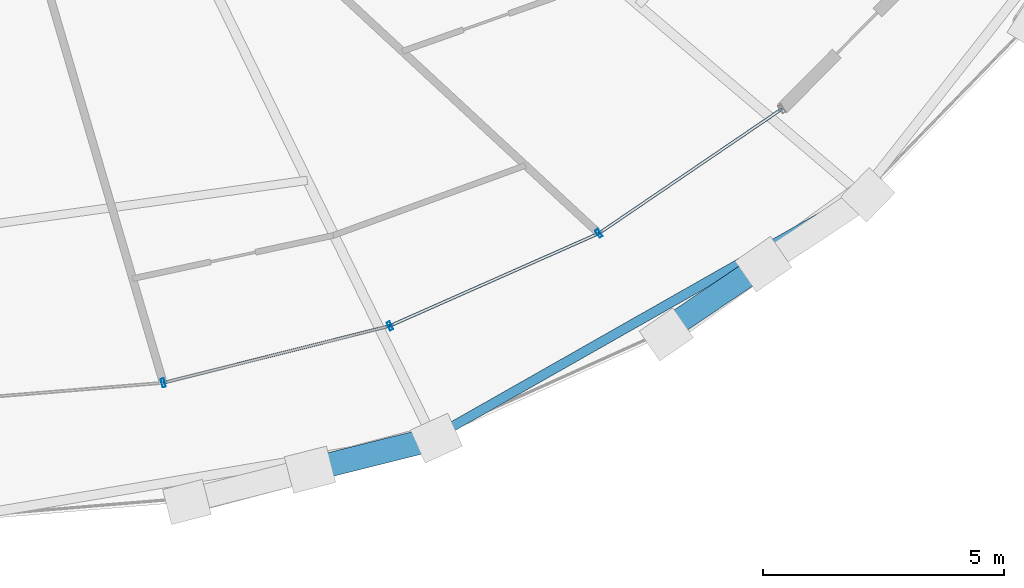
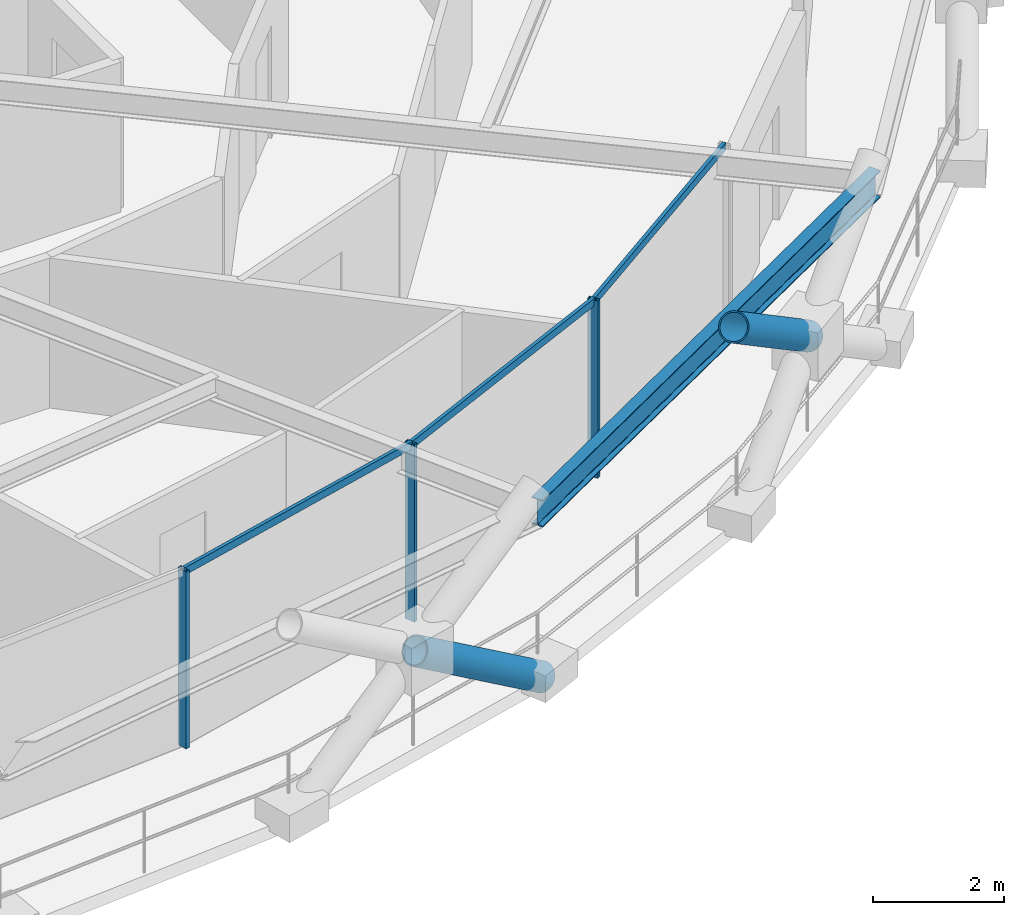
# One storey, part 4 of 15: 8 members, 1 beam, 1 element without a shape of its own.
"""IFC4 building model written with IfcOpenShell, lengths in metres."""

from ifc_helpers import new_model, si_unit, direction, frame, origin, origin_2d, place, context, subcontext, project, spatial, hollow_rectangle, hollow_circle, i_section, extrude, material, layer, layer_set, material_profile, profile_set, type_object, element, aggregate, save


model = new_model("IFC4")

# Units and contexts
model_context = context("Model", 3, precision=1e-05, world=origin(), true_north=direction((0.0, 1.0)))
body_context = subcontext(model_context, "Body", "Model", "MODEL_VIEW")
ifc_project = project(units=[si_unit("LENGTHUNIT", "METRE"), si_unit("AREAUNIT", "SQUARE_METRE"), si_unit("VOLUMEUNIT", "CUBIC_METRE"), si_unit("PLANEANGLEUNIT", "RADIAN"), si_unit("MASSUNIT", "GRAM", prefix="KILO")], contexts=[model_context])

# Site, building, storey
site_placement = place(None, origin())
site = spatial("IfcSite", under=ifc_project, at=site_placement, CompositionType="ELEMENT")
building_placement = place(site_placement, origin())
building = spatial("IfcBuilding", under=site, at=building_placement, Name="Veldorina Hangang Commons", CompositionType="ELEMENT")
storey_placement = place(building_placement, frame((0.0, 0.0, 182.0)))
storey = spatial("IfcBuildingStorey", under=building, at=storey_placement, Name="L47", CompositionType="ELEMENT", Elevation=182.0)

# Beam
ifc_material_1 = material(Name="Steel SM420-TMC", Category="steel")
ifc_material_profile_1 = material_profile(ifc_material_1, i_section(OverallWidth=0.199951171875, OverallDepth=0.5, WebThickness=0.010009765625, FlangeThickness=0.01611328125, FilletRadius=0.01611328125, at=origin_2d()), Name="H-500x200x10x16")
ifc_profile_set_1 = profile_set([ifc_material_profile_1], Name="Steel SM420-TMC")
beam_type = type_object("IfcBeamType", Name="BM-RB500", PredefinedType="BEAM", material=ifc_profile_set_1)
beam_placement = place(storey_placement, frame((42.476318359375, 2.505615234375, 3.10009765625), z_axis=(0.869572738888, 0.493804872174, 0.0), x_axis=(-0.493804872174, 0.869572738888, 0.0)))
element("IfcBeam", 1, at=beam_placement, inside=storey, type_object=beam_type, Name="L47 perimeter hoop ring beam 26", PredefinedType="BEAM", context=body_context, shape_type="SweptSolid", body=[
    extrude(i_section(OverallWidth=0.199951171875, OverallDepth=0.5, WebThickness=0.010009765625, FlangeThickness=0.01611328125, FilletRadius=0.01611328125, at=origin_2d()), origin(), (0.0, 0.0, 1.0), 10.21337890625),
])

# Curtain wall, members
ifc_material_2 = material(Name="Glass Low-E Triple IGU", Category="glass")
ifc_layer = layer(ifc_material_2, 0.179931640625)
ifc_layer_set = layer_set([ifc_layer], Name="Glass Low-E Triple IGU")
curtain_wall_type = type_object("IfcCurtainWallType", Name="CW-SYS-Z2", PredefinedType="NOTDEFINED", material=ifc_layer_set)
curtain_wall_placement = place(storey_placement, origin())
curtain_wall = element("IfcCurtainWall", 2, at=curtain_wall_placement, inside=storey, type_object=curtain_wall_type, Name="L47 unitised curtain wall CW-L47-R1", PredefinedType="NOTDEFINED")
ifc_material_3 = material(Name="Aluminium Anodized AA6063-T6", Category="aluminium")
ifc_material_profile_2 = material_profile(ifc_material_3, hollow_rectangle(XDim=0.070068359375, YDim=0.179931640625, WallThickness=0.00390625, at=origin_2d()), Name="ALU-RHS-180x70x4")
ifc_profile_set_2 = profile_set([ifc_material_profile_2], Name="Aluminium Anodized AA6063-T6")
member_type_1 = type_object("IfcMemberType", Name="CW-MUL-180", PredefinedType="MULLION", material=ifc_profile_set_2)
member_1_placement = place(storey_placement, frame((36.88818359375, 3.64306640625, 0.0), z_axis=(0.0, 0.0, 1.0), x_axis=(0.969850752171, 0.243699648158, 0.0)))
member_1 = element("IfcMember", 3, at=member_1_placement, type_object=member_type_1, Name="CW-L47-R1 vertical mullion 2", PredefinedType="MULLION", context=body_context, shape_type="SweptSolid", body=[
    extrude(hollow_rectangle(XDim=0.070068359375, YDim=0.179931640625, WallThickness=0.00390625, at=origin_2d()), origin(), (0.0, 0.0, 1.0), 3.31005859375),
])
member_2_placement = place(storey_placement, frame((41.588623046875, 4.82421875, 0.0), z_axis=(0.0, 0.0, 1.0), x_axis=(0.914374122918, 0.404870304341, 0.0)))
member_2 = element("IfcMember", 4, at=member_2_placement, type_object=member_type_1, Name="CW-L47-R1 vertical mullion 3", PredefinedType="MULLION", context=body_context, shape_type="SweptSolid", body=[
    extrude(hollow_rectangle(XDim=0.070068359375, YDim=0.179931640625, WallThickness=0.00390625, at=origin_2d()), origin(), (0.0, 0.0, 1.0), 3.31005859375),
])
member_3_placement = place(storey_placement, frame((45.92041015625, 6.7421875, 0.0), z_axis=(0.0, 0.0, 1.0), x_axis=(0.826992272221, 0.56221328843, 0.0)))
member_3 = element("IfcMember", 5, at=member_3_placement, type_object=member_type_1, Name="CW-L47-R1 vertical mullion 4", PredefinedType="MULLION", context=body_context, shape_type="SweptSolid", body=[
    extrude(hollow_rectangle(XDim=0.070068359375, YDim=0.179931640625, WallThickness=0.00390625, at=origin_2d()), origin(), (0.0, 0.0, 1.0), 3.31005859375),
])
ifc_material_profile_3 = material_profile(ifc_material_3, hollow_rectangle(XDim=0.06005859375, YDim=0.139892578125, WallThickness=0.00341796875, at=origin_2d()), Name="ALU-RHS-140x60x3.5")
ifc_profile_set_3 = profile_set([ifc_material_profile_3], Name="Aluminium Anodized AA6063-T6")
member_type_2 = type_object("IfcMemberType", Name="CW-TRN-140", PredefinedType="USERDEFINED", material=ifc_profile_set_3)
member_4_placement = place(storey_placement, frame((36.88818359375, 3.64306640625, 3.27001953125), z_axis=(0.969848436696, 0.243708862865, 0.0), x_axis=(-0.243708862865, 0.969848436696, 0.0)))
member_4 = element("IfcMember", 6, at=member_4_placement, type_object=member_type_2, Name="CW-L47-R1 facet 2 transom 1", ObjectType="TRANSOM", PredefinedType="USERDEFINED", context=body_context, shape_type="SweptSolid", body=[
    extrude(hollow_rectangle(XDim=0.06005859375, YDim=0.139892578125, WallThickness=0.00341796875, at=origin_2d()), origin(), (0.0, 0.0, 1.0), 4.8466796875),
])
member_5_placement = place(storey_placement, frame((41.588623046875, 4.82421875, 3.27001953125), z_axis=(0.914380188239, 0.404856605918, 0.0), x_axis=(-0.404856605918, 0.914380188239, 0.0)))
member_5 = element("IfcMember", 7, at=member_5_placement, type_object=member_type_2, Name="CW-L47-R1 facet 3 transom 1", ObjectType="TRANSOM", PredefinedType="USERDEFINED", context=body_context, shape_type="SweptSolid", body=[
    extrude(hollow_rectangle(XDim=0.06005859375, YDim=0.139892578125, WallThickness=0.00341796875, at=origin_2d()), origin(), (0.0, 0.0, 1.0), 4.7373046875),
])
member_6_placement = place(storey_placement, frame((45.92041015625, 6.7421875, 3.27001953125), z_axis=(0.826984851001, 0.56222420458, 0.0), x_axis=(-0.56222420458, 0.826984851001, 0.0)))
member_6 = element("IfcMember", 8, at=member_6_placement, type_object=member_type_2, Name="CW-L47-R1 facet 4 transom 1", ObjectType="TRANSOM", PredefinedType="USERDEFINED", context=body_context, shape_type="SweptSolid", body=[
    extrude(hollow_rectangle(XDim=0.06005859375, YDim=0.139892578125, WallThickness=0.00341796875, at=origin_2d()), origin(), (0.0, 0.0, 1.0), 4.59130859375),
])
aggregate(curtain_wall, [member_1, member_2, member_3, member_4, member_5, member_6])

# Members
ifc_material_profile_4 = material_profile(ifc_material_1, hollow_circle(Radius=0.25, WallThickness=0.02490234375, at=origin_2d()), Name="CHS-500x25")
ifc_profile_set_4 = profile_set([ifc_material_profile_4], Name="Steel SM420-TMC")
member_type_3 = type_object("IfcMemberType", Name="DG-CHS500", PredefinedType="BRACE", material=ifc_profile_set_4)
member_7_placement = place(storey_placement, frame((42.552978515625, 2.49609375, 0.0), z_axis=(-0.806447159846, -0.201236209131, 0.556009861883), x_axis=(0.242110315185, -0.970248728565, 0.0)))
element("IfcMember", 9, at=member_7_placement, inside=storey, type_object=member_type_3, Name="L47 split perimeter diagrid lower brace 26", PredefinedType="BRACE", context=body_context, shape_type="SweptSolid", body=[
    extrude(hollow_circle(Radius=0.25, WallThickness=0.02490234375, at=origin_2d()), origin(), (0.0, 0.0, 1.0), 3.250244140625),
])
member_8_placement = place(storey_placement, frame((49.33349609375, 6.102783203125, 1.805419921875), z_axis=(-0.680850825234, -0.459487018466, 0.570362896444), x_axis=(0.559399847099, -0.828897949729, 0.0)))
element("IfcMember", 10, at=member_8_placement, inside=storey, type_object=member_type_3, Name="L47 split perimeter diagrid upper brace 28", PredefinedType="BRACE", context=body_context, shape_type="SweptSolid", body=[
    extrude(hollow_circle(Radius=0.25, WallThickness=0.02490234375, at=origin_2d()), origin(), (0.0, 0.0, 1.0), 3.146484375),
])

save(model, "model.ifc")
